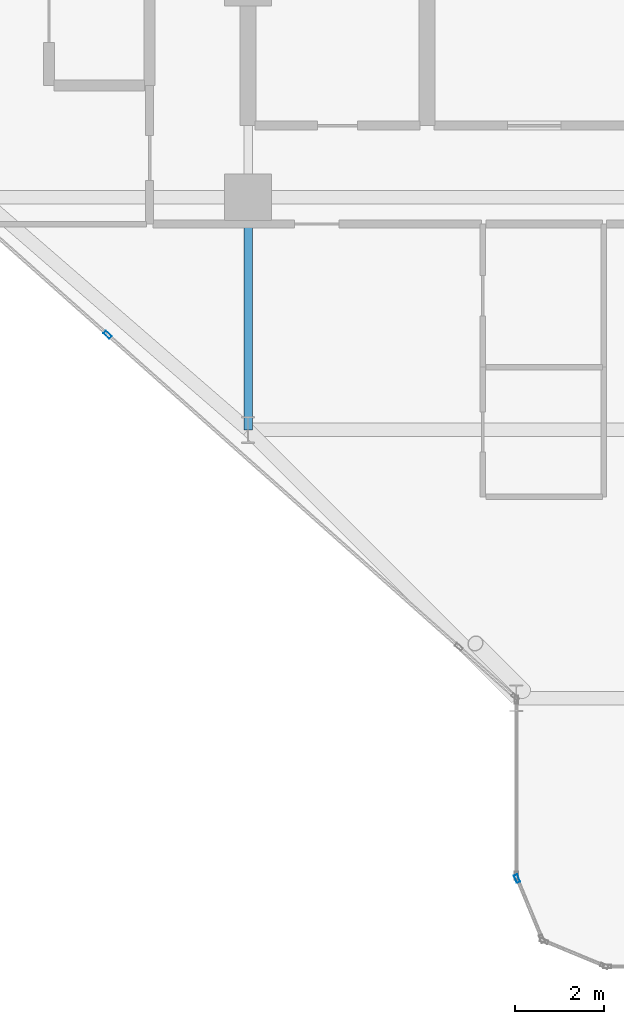
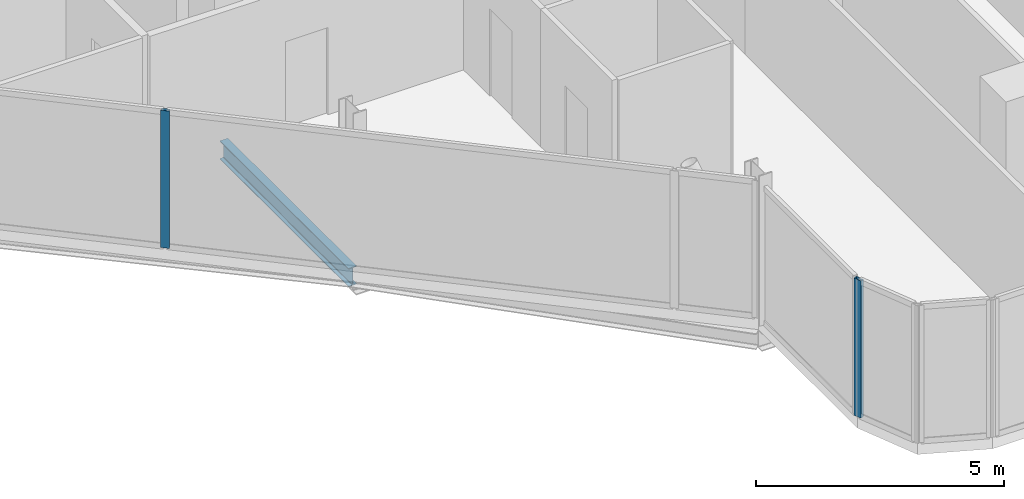
# One storey, part 3 of 29: 2 members, 1 beam, 2 elements without a shape of their own.
"""IFC4 building model written with IfcOpenShell, lengths in metres."""

from ifc_helpers import new_model, si_unit, direction, frame, origin, origin_2d, place, context, subcontext, project, spatial, hollow_rectangle, i_section, extrude, material, layer, layer_set, material_profile, profile_set, type_object, element, aggregate, save


model = new_model("IFC4")

# Units and contexts
model_context = context("Model", 3, precision=1e-05, world=origin(), true_north=direction((0.0, 1.0)))
body_context = subcontext(model_context, "Body", "Model", "MODEL_VIEW")
ifc_project = project(units=[si_unit("LENGTHUNIT", "METRE"), si_unit("AREAUNIT", "SQUARE_METRE"), si_unit("VOLUMEUNIT", "CUBIC_METRE"), si_unit("PLANEANGLEUNIT", "RADIAN"), si_unit("MASSUNIT", "GRAM", prefix="KILO")], contexts=[model_context])

# Site, building, storey
site_placement = place(None, origin())
site = spatial("IfcSite", under=ifc_project, at=site_placement, CompositionType="ELEMENT")
building_placement = place(site_placement, origin())
building = spatial("IfcBuilding", under=site, at=building_placement, Name="Keshet Zoharim Tower", CompositionType="ELEMENT")
storey_placement = place(building_placement, frame((0.0, 0.0, 98.300048828125)))
storey = spatial("IfcBuildingStorey", under=building, at=storey_placement, Name="L23", CompositionType="ELEMENT", Elevation=98.300048828125)

# Beam
ifc_material_1 = material(Name="Steel S355", Category="steel")
ifc_material_profile_1 = material_profile(ifc_material_1, i_section(OverallWidth=0.18994140625, OverallDepth=0.449951171875, WebThickness=0.009521484375, FlangeThickness=0.0146484375, FilletRadius=0.02099609375, at=origin_2d()), Name="IPE450")
ifc_profile_set_1 = profile_set([ifc_material_profile_1], Name="Steel S355")
beam_type = type_object("IfcBeamType", Name="BM-PRI-IP450", PredefinedType="BEAM", material=ifc_profile_set_1)
beam_placement = place(storey_placement, frame((15.0, 12.699951171875, -0.5400390625), z_axis=(0.0, 1.0, 0.0), x_axis=(-1.0, 0.0, 0.0)))
element("IfcBeam", 1, at=beam_placement, inside=storey, type_object=beam_type, Name="L23 Primary Girder Y-002", PredefinedType="BEAM", context=body_context, shape_type="SweptSolid", body=[
    extrude(i_section(OverallWidth=0.18994140625, OverallDepth=0.449951171875, WebThickness=0.009521484375, FlangeThickness=0.0146484375, FilletRadius=0.02099609375, at=origin_2d()), origin(), (0.0, 0.0, 1.0), 5.199951171875),
])

# Curtain wall, member
ifc_material_2 = material(Name="Aluminium 6063-T6", Category="aluminium")
ifc_layer = layer(ifc_material_2, 0.159912109375)
ifc_layer_set = layer_set([ifc_layer], Name="Aluminium 6063-T6")
curtain_wall_type = type_object("IfcCurtainWallType", Name="CW-SYS-03", PredefinedType="NOTDEFINED", material=ifc_layer_set)
curtain_wall_1_placement = place(storey_placement, origin())
curtain_wall_1 = element("IfcCurtainWall", 2, at=curtain_wall_1_placement, inside=storey, type_object=curtain_wall_type, Name="L23 Unitised Curtain Wall 05", PredefinedType="NOTDEFINED")
ifc_material_profile_2 = material_profile(ifc_material_2, hollow_rectangle(XDim=0.080078125, YDim=0.179931640625, WallThickness=0.00439453125, at=origin_2d()), Name="MUL-80x180")
ifc_profile_set_2 = profile_set([ifc_material_profile_2], Name="Aluminium 6063-T6")
member_type = type_object("IfcMemberType", Name="CWM-M18", PredefinedType="MULLION", material=ifc_profile_set_2)
member_1_placement = place(storey_placement, frame((21.013427734375, 2.667724609375, 0.0), z_axis=(0.0, 0.0, 1.0), x_axis=(-0.92380975372, -0.382851849847, 0.0)))
member_1 = element("IfcMember", 3, at=member_1_placement, type_object=member_type, Name="CW-03 mullion 2", PredefinedType="MULLION", context=body_context, shape_type="SweptSolid", body=[
    extrude(hollow_rectangle(XDim=0.080078125, YDim=0.179931640625, WallThickness=0.00439453125, at=origin_2d()), origin(), (0.0, 0.0, 1.0), 3.385009765625),
])
aggregate(curtain_wall_1, [member_1])

curtain_wall_2_placement = place(storey_placement, origin())
curtain_wall_2 = element("IfcCurtainWall", 4, at=curtain_wall_2_placement, inside=storey, type_object=curtain_wall_type, Name="L23 Unitised Curtain Wall 07 Part 2", PredefinedType="NOTDEFINED")
member_2_placement = place(storey_placement, frame((11.859619140625, 14.82470703125, 0.0), z_axis=(0.0, 0.0, 1.0), x_axis=(-0.664364135264, -0.747409055186, 0.0)))
member_2 = element("IfcMember", 5, at=member_2_placement, type_object=member_type, Name="CW-03 mullion 2", PredefinedType="MULLION", context=body_context, shape_type="SweptSolid", body=[
    extrude(hollow_rectangle(XDim=0.080078125, YDim=0.179931640625, WallThickness=0.00439453125, at=origin_2d()), origin(), (0.0, 0.0, 1.0), 3.385009765625),
])
aggregate(curtain_wall_2, [member_2])

save(model, "model.ifc")
